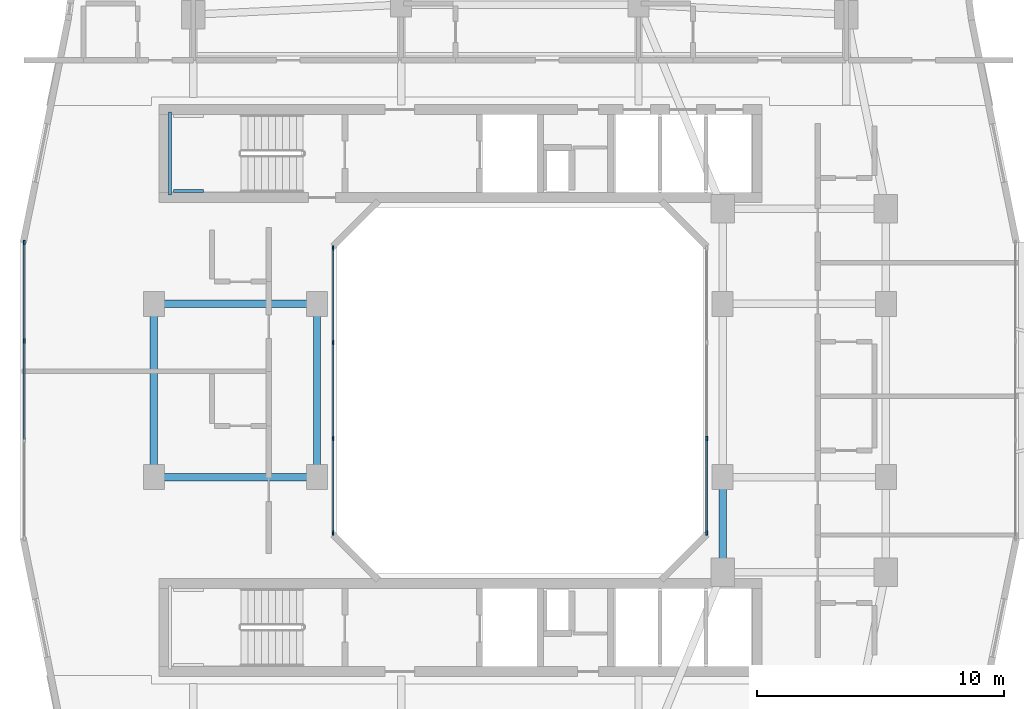
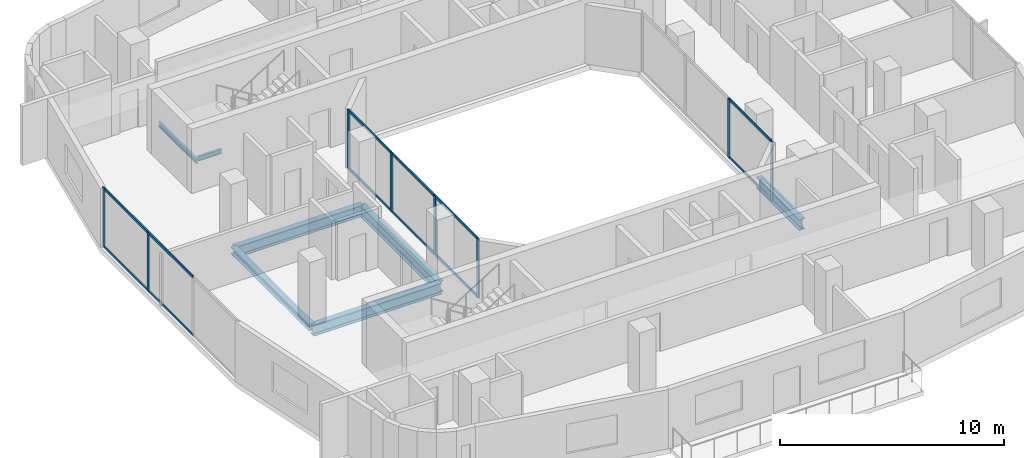
# One storey, part 3 of 26: 20 members, 7 beams, 3 elements without a shape of their own.
"""IFC4 building model written with IfcOpenShell, lengths in metres."""

from ifc_helpers import new_model, si_unit, derived_unit, direction, frame, origin, origin_2d, place, context, subcontext, project, spatial, rectangle, i_section, extrude, material, layer, layer_set, material_profile, profile_set, type_object, element, aggregate, save


model = new_model("IFC4")

# Units and contexts
model_context = context("Model", 3, precision=1e-05, world=origin(), true_north=direction((0.0, 1.0)))
body_context = subcontext(model_context, "Body", "Model", "MODEL_VIEW")
ifc_project = project(units=[si_unit("LENGTHUNIT", "METRE"), si_unit("AREAUNIT", "SQUARE_METRE"), si_unit("VOLUMEUNIT", "CUBIC_METRE"), si_unit("PLANEANGLEUNIT", "RADIAN"), si_unit("MASSUNIT", "GRAM", prefix="KILO"), derived_unit("THERMALTRANSMITTANCEUNIT", [(si_unit("POWERUNIT", "WATT"), 1), (si_unit("LENGTHUNIT", "METRE"), -2), (si_unit("THERMODYNAMICTEMPERATUREUNIT", "KELVIN"), -1)])], contexts=[model_context])

# Site, building, storey
site_placement = place(None, origin())
site = spatial("IfcSite", under=ifc_project, at=site_placement, CompositionType="ELEMENT")
building_placement = place(site_placement, origin())
building = spatial("IfcBuilding", under=site, at=building_placement, Name="Kivonza Crest Hotel", CompositionType="ELEMENT")
storey_placement = place(building_placement, frame((0.0, 0.0, 95.0)))
storey = spatial("IfcBuildingStorey", under=building, at=storey_placement, Name="L25", CompositionType="ELEMENT", Elevation=95.0)

# Beams
ifc_material_1 = material(Name="Steel S355", Category="steel")
ifc_material_profile_1 = material_profile(ifc_material_1, i_section(OverallWidth=0.300048828125, OverallDepth=0.360107421875, WebThickness=0.012451171875, FlangeThickness=0.0224609375, FilletRadius=0.027099609375, at=origin_2d()), Name="HEB 360")
ifc_profile_set_1 = profile_set([ifc_material_profile_1], Name="Steel S355")
beam_type_1 = type_object("IfcBeamType", Name="BM-HEB360", PredefinedType="SPANDREL", material=ifc_profile_set_1)
beam_1_placement = place(storey_placement, frame((6.199951171875, 28.5, -0.4599609375), z_axis=(0.0, -1.0, 0.0), x_axis=(1.0, 0.0, 0.0)))
element("IfcBeam", 1, at=beam_1_placement, inside=storey, type_object=beam_type_1, Name="Tower T1 L25 perimeter spandrel W2-W1", PredefinedType="SPANDREL", context=body_context, shape_type="SweptSolid", body=[
    extrude(i_section(OverallWidth=0.300048828125, OverallDepth=0.360107421875, WebThickness=0.012451171875, FlangeThickness=0.0224609375, FilletRadius=0.027099609375, at=origin_2d()), origin(), (0.0, 0.0, 1.0), 7.0),
])
ifc_material_profile_2 = material_profile(ifc_material_1, i_section(OverallWidth=0.300048828125, OverallDepth=0.60009765625, WebThickness=0.015380859375, FlangeThickness=0.030029296875, FilletRadius=0.027099609375, at=origin_2d()), Name="HEB 600")
ifc_profile_set_2 = profile_set([ifc_material_profile_2], Name="Steel S355")
beam_type_2 = type_object("IfcBeamType", Name="BM-HEB600", PredefinedType="BEAM", material=ifc_profile_set_2)
for number, where, z_axis, x_axis, name in (
    (2, (6.199951171875, 21.5, -0.580078125), (1.0, 0.0, 0.0), (0.0, 1.0, 0.0), "Tower T1 L25 primary girder W1-WL1"),
    (3, (6.199951171875, 28.5, -0.580078125), (1.0, 0.0, 0.0), (0.0, 1.0, 0.0), "Tower T1 L25 primary girder W2-WL2"),
):
    element("IfcBeam", number, at=place(storey_placement, frame(where, z_axis=z_axis, x_axis=x_axis)), inside=storey, type_object=beam_type_2, Name=name, PredefinedType="BEAM", context=body_context, shape_type="SweptSolid", body=[
        extrude(i_section(OverallWidth=0.300048828125, OverallDepth=0.60009765625, WebThickness=0.015380859375, FlangeThickness=0.030029296875, FilletRadius=0.027099609375, at=origin_2d()), origin(), (0.0, 0.0, 1.0), 6.60009765625),
    ])
beam_2_placement = place(storey_placement, frame((12.800048828125, 21.5, -0.580078125), z_axis=(0.0, 1.0, 0.0), x_axis=(-1.0, 0.0, 0.0)))
element("IfcBeam", 4, at=beam_2_placement, inside=storey, type_object=beam_type_2, Name="Tower T1 L25 primary girder WL1-WL2", PredefinedType="BEAM", context=body_context, shape_type="SweptSolid", body=[
    extrude(i_section(OverallWidth=0.300048828125, OverallDepth=0.60009765625, WebThickness=0.015380859375, FlangeThickness=0.030029296875, FilletRadius=0.027099609375, at=origin_2d()), origin(), (0.0, 0.0, 1.0), 7.0),
])
beam_3_placement = place(storey_placement, frame((29.199951171875, 17.64990234375, -0.580078125), z_axis=(0.0, 1.0, 0.0), x_axis=(-1.0, 0.0, 0.0)))
element("IfcBeam", 5, at=beam_3_placement, inside=storey, type_object=beam_type_2, Name="Tower T1 L25 primary girder TSE-WR1", PredefinedType="BEAM", context=body_context, shape_type="SweptSolid", body=[
    extrude(i_section(OverallWidth=0.300048828125, OverallDepth=0.60009765625, WebThickness=0.015380859375, FlangeThickness=0.030029296875, FilletRadius=0.027099609375, at=origin_2d()), origin(), (0.0, 0.0, 1.0), 3.85009765625),
])
ifc_material_profile_3 = material_profile(ifc_material_1, i_section(OverallWidth=0.1201171875, OverallDepth=0.239990234375, WebThickness=0.006103515625, FlangeThickness=0.009765625, FilletRadius=0.014892578125, at=origin_2d()), Name="IPE 240")
ifc_profile_set_3 = profile_set([ifc_material_profile_3], Name="Steel S355")
beam_type_3 = type_object("IfcBeamType", Name="BM-LLDG-240", PredefinedType="BEAM", material=ifc_profile_set_3)
beam_4_placement = place(storey_placement, frame((6.860107421875, 32.89990234375, 1.429931640625), z_axis=(0.0, 1.0, 0.0), x_axis=(-1.0, 0.0, 0.0)))
element("IfcBeam", 6, at=beam_4_placement, inside=storey, type_object=beam_type_3, Name="Stair ST-T1-N L25 West landing corbel", PredefinedType="BEAM", context=body_context, shape_type="SweptSolid", body=[
    extrude(i_section(OverallWidth=0.1201171875, OverallDepth=0.239990234375, WebThickness=0.006103515625, FlangeThickness=0.009765625, FilletRadius=0.014892578125, at=origin_2d()), origin(), (0.0, 0.0, 1.0), 3.360107421875),
])
beam_5_placement = place(storey_placement, frame((6.989990234375, 33.06005859375, 1.429931640625), z_axis=(1.0, 0.0, 0.0), x_axis=(0.0, 1.0, 0.0)))
element("IfcBeam", 7, at=beam_5_placement, inside=storey, type_object=beam_type_3, Name="Stair ST-T1-N L25 South landing corbel", PredefinedType="BEAM", context=body_context, shape_type="SweptSolid", body=[
    extrude(i_section(OverallWidth=0.1201171875, OverallDepth=0.239990234375, WebThickness=0.006103515625, FlangeThickness=0.009765625, FilletRadius=0.014892578125, at=origin_2d()), origin(), (0.0, 0.0, 1.0), 1.2099609375),
])

# Curtain wall, members
ifc_material_2 = material(Name="Anodised bronze aluminium and low-E double glazing", Category="aluminium")
ifc_layer_1 = layer(ifc_material_2, 0.179931640625)
ifc_layer_set_1 = layer_set([ifc_layer_1], Name="Anodised bronze aluminium and low-E double glazing")
curtain_wall_type_1 = type_object("IfcCurtainWallType", Name="CW-SYS-2", PredefinedType="NOTDEFINED", material=ifc_layer_set_1)
curtain_wall_1_placement = place(storey_placement, origin())
curtain_wall_1 = element("IfcCurtainWall", 8, at=curtain_wall_1_placement, inside=storey, type_object=curtain_wall_type_1, Name="L25 unitised curtain wall CW-T1-L25-35", PredefinedType="NOTDEFINED")
ifc_material_3 = material(Name="Anodised bronze aluminium", Category="aluminium")
ifc_material_profile_4 = material_profile(ifc_material_3, rectangle(XDim=0.06494140625, YDim=0.179931640625, at=origin_2d()), Name="CW-M 65x180")
ifc_profile_set_4 = profile_set([ifc_material_profile_4], Name="Anodised bronze aluminium")
member_type_1 = type_object("IfcMemberType", Name="CW-MUL-65x180", PredefinedType="MULLION", material=ifc_profile_set_4)
member_1_placement = place(storey_placement, frame((0.9599609375, 30.987548828125, 0.0), z_axis=(0.0, 0.0, 1.0), x_axis=(1.0, 0.0, 0.0)))
member_1 = element("IfcMember", 9, at=member_1_placement, type_object=member_type_1, Name="CW-2 mullion 1", PredefinedType="MULLION", context=body_context, shape_type="SweptSolid", body=[
    extrude(rectangle(XDim=0.06494140625, YDim=0.179931640625, at=origin_2d()), origin(), (0.0, 0.0, 1.0), 3.219970703125),
])
member_2_placement = place(storey_placement, frame((0.9599609375, 27.006591796875, 0.0), z_axis=(0.0, 0.0, 1.0), x_axis=(1.0, 0.0, 0.0)))
member_2 = element("IfcMember", 10, at=member_2_placement, type_object=member_type_1, Name="CW-2 mullion 2", PredefinedType="MULLION", context=body_context, shape_type="SweptSolid", body=[
    extrude(rectangle(XDim=0.06494140625, YDim=0.179931640625, at=origin_2d()), origin(), (0.0, 0.0, 1.0), 3.219970703125),
])

ifc_layer_2 = layer(ifc_material_2, 0.159912109375)
ifc_layer_set_2 = layer_set([ifc_layer_2], Name="Anodised bronze aluminium and low-E double glazing")
curtain_wall_type_2 = type_object("IfcCurtainWallType", Name="CW-SYS-5", PredefinedType="NOTDEFINED", material=ifc_layer_set_2)
curtain_wall_2_placement = place(storey_placement, origin())
curtain_wall_2 = element("IfcCurtainWall", 11, at=curtain_wall_2_placement, inside=storey, type_object=curtain_wall_type_2, Name="L25 unitised curtain wall CW-WELL-T1-L25-3", PredefinedType="NOTDEFINED")
member_3_placement = place(storey_placement, frame((28.56005859375, 19.232421875, 0.0), z_axis=(0.0, 0.0, 1.0), x_axis=(-1.0, 0.0, 0.0)))
member_3 = element("IfcMember", 12, at=member_3_placement, type_object=member_type_1, Name="CW-5 mullion 1", PredefinedType="MULLION", context=body_context, shape_type="SweptSolid", body=[
    extrude(rectangle(XDim=0.06494140625, YDim=0.179931640625, at=origin_2d()), origin(), (0.0, 0.0, 1.0), 3.219970703125),
])
member_4_placement = place(storey_placement, frame((28.56005859375, 23.066650390625, 0.0), z_axis=(0.0, 0.0, 1.0), x_axis=(-1.0, 0.0, 0.0)))
member_4 = element("IfcMember", 13, at=member_4_placement, type_object=member_type_1, Name="CW-5 mullion 2", PredefinedType="MULLION", context=body_context, shape_type="SweptSolid", body=[
    extrude(rectangle(XDim=0.06494140625, YDim=0.179931640625, at=origin_2d()), origin(), (0.0, 0.0, 1.0), 3.219970703125),
])

curtain_wall_3_placement = place(storey_placement, origin())
curtain_wall_3 = element("IfcCurtainWall", 14, at=curtain_wall_3_placement, inside=storey, type_object=curtain_wall_type_2, Name="L25 unitised curtain wall CW-WELL-T1-L25-7", PredefinedType="NOTDEFINED")
member_5_placement = place(storey_placement, frame((13.43994140625, 30.767578125, 0.0), z_axis=(0.0, 0.0, 1.0), x_axis=(1.0, 0.0, 0.0)))
member_5 = element("IfcMember", 15, at=member_5_placement, type_object=member_type_1, Name="CW-5 mullion 1", PredefinedType="MULLION", context=body_context, shape_type="SweptSolid", body=[
    extrude(rectangle(XDim=0.06494140625, YDim=0.179931640625, at=origin_2d()), origin(), (0.0, 0.0, 1.0), 3.219970703125),
])
member_6_placement = place(storey_placement, frame((13.43994140625, 26.933349609375, 0.0), z_axis=(0.0, 0.0, 1.0), x_axis=(1.0, 0.0, 0.0)))
member_6 = element("IfcMember", 16, at=member_6_placement, type_object=member_type_1, Name="CW-5 mullion 2", PredefinedType="MULLION", context=body_context, shape_type="SweptSolid", body=[
    extrude(rectangle(XDim=0.06494140625, YDim=0.179931640625, at=origin_2d()), origin(), (0.0, 0.0, 1.0), 3.219970703125),
])
member_7_placement = place(storey_placement, frame((13.43994140625, 23.066650390625, 0.0), z_axis=(0.0, 0.0, 1.0), x_axis=(1.0, 0.0, 0.0)))
member_7 = element("IfcMember", 17, at=member_7_placement, type_object=member_type_1, Name="CW-5 mullion 3", PredefinedType="MULLION", context=body_context, shape_type="SweptSolid", body=[
    extrude(rectangle(XDim=0.06494140625, YDim=0.179931640625, at=origin_2d()), origin(), (0.0, 0.0, 1.0), 3.219970703125),
])
member_8_placement = place(storey_placement, frame((13.43994140625, 19.232421875, 0.0), z_axis=(0.0, 0.0, 1.0), x_axis=(1.0, 0.0, 0.0)))
member_8 = element("IfcMember", 18, at=member_8_placement, type_object=member_type_1, Name="CW-5 mullion 4", PredefinedType="MULLION", context=body_context, shape_type="SweptSolid", body=[
    extrude(rectangle(XDim=0.06494140625, YDim=0.179931640625, at=origin_2d()), origin(), (0.0, 0.0, 1.0), 3.219970703125),
])

# Member
ifc_material_profile_5 = material_profile(ifc_material_3, rectangle(XDim=0.06494140625, YDim=0.139892578125, at=origin_2d()), Name="CW-T 65x140")
ifc_profile_set_5 = profile_set([ifc_material_profile_5], Name="Anodised bronze aluminium")
member_type_2 = type_object("IfcMemberType", Name="CW-TRN-65x140", PredefinedType="USERDEFINED", material=ifc_profile_set_5)
member_9_placement = place(storey_placement, frame((0.9599609375, 30.955078125, 0.032470703125), z_axis=(0.0, -1.0, 0.0), x_axis=(1.0, 0.0, 0.0)))
member_9 = element("IfcMember", 19, at=member_9_placement, type_object=member_type_2, Name="CW-2 transom 1.1", ObjectType="TRANSOM", PredefinedType="USERDEFINED", context=body_context, shape_type="SweptSolid", body=[
    extrude(rectangle(XDim=0.06494140625, YDim=0.139892578125, at=origin_2d()), origin(), (0.0, 0.0, 1.0), 3.916015625),
])

member_10_placement = place(storey_placement, frame((0.9599609375, 30.955078125, 3.1875), z_axis=(0.0, -1.0, 0.0), x_axis=(1.0, 0.0, 0.0)))
member_10 = element("IfcMember", 20, at=member_10_placement, type_object=member_type_2, Name="CW-2 transom 1.2", ObjectType="TRANSOM", PredefinedType="USERDEFINED", context=body_context, shape_type="SweptSolid", body=[
    extrude(rectangle(XDim=0.06494140625, YDim=0.139892578125, at=origin_2d()), origin(), (0.0, 0.0, 1.0), 3.916015625),
])

member_11_placement = place(storey_placement, frame((0.9599609375, 26.97412109375, 0.032470703125), z_axis=(0.0, -1.0, 0.0), x_axis=(1.0, 0.0, 0.0)))
member_11 = element("IfcMember", 21, at=member_11_placement, type_object=member_type_2, Name="CW-2 transom 2.1", ObjectType="TRANSOM", PredefinedType="USERDEFINED", context=body_context, shape_type="SweptSolid", body=[
    extrude(rectangle(XDim=0.06494140625, YDim=0.139892578125, at=origin_2d()), origin(), (0.0, 0.0, 1.0), 3.9482421875),
])

member_12_placement = place(storey_placement, frame((0.9599609375, 26.97412109375, 3.1875), z_axis=(0.0, -1.0, 0.0), x_axis=(1.0, 0.0, 0.0)))
member_12 = element("IfcMember", 22, at=member_12_placement, type_object=member_type_2, Name="CW-2 transom 2.2", ObjectType="TRANSOM", PredefinedType="USERDEFINED", context=body_context, shape_type="SweptSolid", body=[
    extrude(rectangle(XDim=0.06494140625, YDim=0.139892578125, at=origin_2d()), origin(), (0.0, 0.0, 1.0), 3.9482421875),
])

aggregate(curtain_wall_1, [member_1, member_2, member_9, member_10, member_11, member_12])

member_13_placement = place(storey_placement, frame((28.56005859375, 19.264892578125, 0.032470703125), z_axis=(0.0, 1.0, 0.0), x_axis=(-1.0, 0.0, 0.0)))
member_13 = element("IfcMember", 23, at=member_13_placement, type_object=member_type_2, Name="CW-5 transom 1.1", ObjectType="TRANSOM", PredefinedType="USERDEFINED", context=body_context, shape_type="SweptSolid", body=[
    extrude(rectangle(XDim=0.06494140625, YDim=0.139892578125, at=origin_2d()), origin(), (0.0, 0.0, 1.0), 3.769287109375),
])

member_14_placement = place(storey_placement, frame((28.56005859375, 19.264892578125, 3.1875), z_axis=(0.0, 1.0, 0.0), x_axis=(-1.0, 0.0, 0.0)))
member_14 = element("IfcMember", 24, at=member_14_placement, type_object=member_type_2, Name="CW-5 transom 1.2", ObjectType="TRANSOM", PredefinedType="USERDEFINED", context=body_context, shape_type="SweptSolid", body=[
    extrude(rectangle(XDim=0.06494140625, YDim=0.139892578125, at=origin_2d()), origin(), (0.0, 0.0, 1.0), 3.769287109375),
])

aggregate(curtain_wall_2, [member_3, member_4, member_13, member_14])

member_15_placement = place(storey_placement, frame((13.43994140625, 30.735107421875, 0.032470703125), z_axis=(0.0, -1.0, 0.0), x_axis=(1.0, 0.0, 0.0)))
member_15 = element("IfcMember", 25, at=member_15_placement, type_object=member_type_2, Name="CW-5 transom 1.1", ObjectType="TRANSOM", PredefinedType="USERDEFINED", context=body_context, shape_type="SweptSolid", body=[
    extrude(rectangle(XDim=0.06494140625, YDim=0.139892578125, at=origin_2d()), origin(), (0.0, 0.0, 1.0), 3.769287109375),
])

member_16_placement = place(storey_placement, frame((13.43994140625, 30.735107421875, 3.1875), z_axis=(0.0, -1.0, 0.0), x_axis=(1.0, 0.0, 0.0)))
member_16 = element("IfcMember", 26, at=member_16_placement, type_object=member_type_2, Name="CW-5 transom 1.2", ObjectType="TRANSOM", PredefinedType="USERDEFINED", context=body_context, shape_type="SweptSolid", body=[
    extrude(rectangle(XDim=0.06494140625, YDim=0.139892578125, at=origin_2d()), origin(), (0.0, 0.0, 1.0), 3.769287109375),
])

member_17_placement = place(storey_placement, frame((13.43994140625, 26.90087890625, 0.032470703125), z_axis=(0.0, -1.0, 0.0), x_axis=(1.0, 0.0, 0.0)))
member_17 = element("IfcMember", 27, at=member_17_placement, type_object=member_type_2, Name="CW-5 transom 2.1", ObjectType="TRANSOM", PredefinedType="USERDEFINED", context=body_context, shape_type="SweptSolid", body=[
    extrude(rectangle(XDim=0.06494140625, YDim=0.139892578125, at=origin_2d()), origin(), (0.0, 0.0, 1.0), 3.8017578125),
])

member_18_placement = place(storey_placement, frame((13.43994140625, 26.90087890625, 3.1875), z_axis=(0.0, -1.0, 0.0), x_axis=(1.0, 0.0, 0.0)))
member_18 = element("IfcMember", 28, at=member_18_placement, type_object=member_type_2, Name="CW-5 transom 2.2", ObjectType="TRANSOM", PredefinedType="USERDEFINED", context=body_context, shape_type="SweptSolid", body=[
    extrude(rectangle(XDim=0.06494140625, YDim=0.139892578125, at=origin_2d()), origin(), (0.0, 0.0, 1.0), 3.8017578125),
])

member_19_placement = place(storey_placement, frame((13.43994140625, 23.0341796875, 0.032470703125), z_axis=(0.0, -1.0, 0.0), x_axis=(1.0, 0.0, 0.0)))
member_19 = element("IfcMember", 29, at=member_19_placement, type_object=member_type_2, Name="CW-5 transom 3.1", ObjectType="TRANSOM", PredefinedType="USERDEFINED", context=body_context, shape_type="SweptSolid", body=[
    extrude(rectangle(XDim=0.06494140625, YDim=0.139892578125, at=origin_2d()), origin(), (0.0, 0.0, 1.0), 3.769287109375),
])

member_20_placement = place(storey_placement, frame((13.43994140625, 23.0341796875, 3.1875), z_axis=(0.0, -1.0, 0.0), x_axis=(1.0, 0.0, 0.0)))
member_20 = element("IfcMember", 30, at=member_20_placement, type_object=member_type_2, Name="CW-5 transom 3.2", ObjectType="TRANSOM", PredefinedType="USERDEFINED", context=body_context, shape_type="SweptSolid", body=[
    extrude(rectangle(XDim=0.06494140625, YDim=0.139892578125, at=origin_2d()), origin(), (0.0, 0.0, 1.0), 3.769287109375),
])

aggregate(curtain_wall_3, [member_5, member_6, member_7, member_8, member_15, member_16, member_17, member_18, member_19, member_20])

save(model, "model.ifc")
